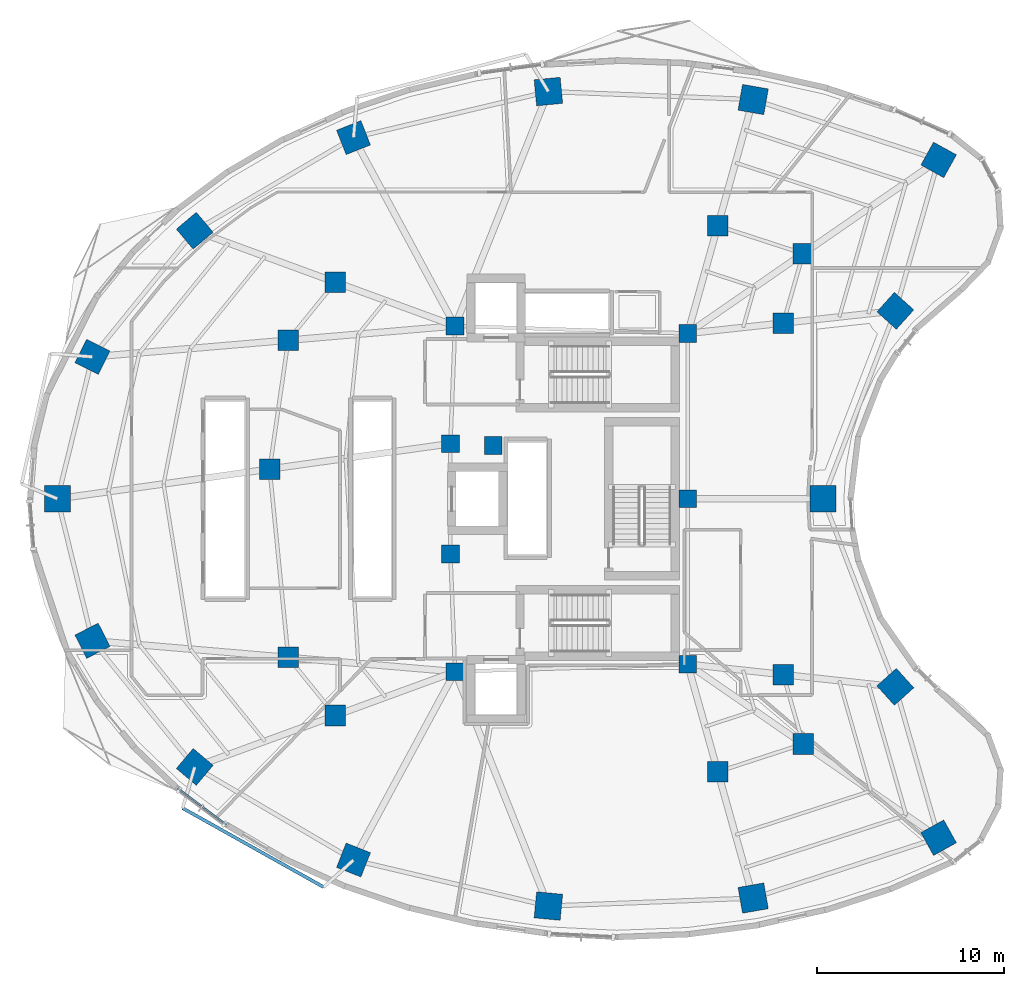
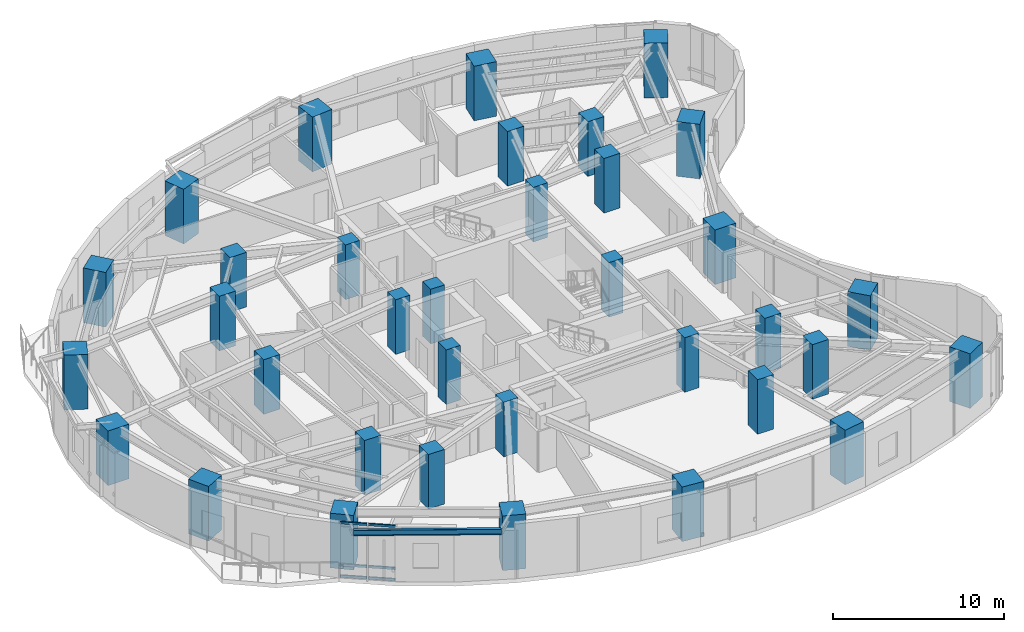
# One storey, part 1 of 14: 35 columns, 6 members, 1 beam, 1 element without a shape of its own.
"""IFC4 building model written with IfcOpenShell, lengths in metres."""

from ifc_helpers import new_model, si_unit, direction, frame, origin, origin_2d, place, context, subcontext, project, spatial, rectangle, i_section, extrude, material, layer, layer_set, material_profile, profile_set, type_object, element, aggregate, save


model = new_model("IFC4")

# Units and contexts
model_context = context("Model", 3, precision=1e-05, world=origin(), true_north=direction((0.0, 1.0)))
body_context = subcontext(model_context, "Body", "Model", "MODEL_VIEW")
ifc_project = project(units=[si_unit("LENGTHUNIT", "METRE"), si_unit("AREAUNIT", "SQUARE_METRE"), si_unit("VOLUMEUNIT", "CUBIC_METRE"), si_unit("PLANEANGLEUNIT", "RADIAN"), si_unit("MASSUNIT", "GRAM", prefix="KILO")], contexts=[model_context])

# Site, building, storey
site_placement = place(None, origin())
site = spatial("IfcSite", under=ifc_project, at=site_placement, CompositionType="ELEMENT")
building_placement = place(site_placement, origin())
building = spatial("IfcBuilding", under=site, at=building_placement, Name="Korentha Bioscience Tower", CompositionType="ELEMENT")
storey_placement = place(building_placement, frame((0.0, 0.0, 46.800048828125)))
storey = spatial("IfcBuildingStorey", under=building, at=storey_placement, Name="L10", CompositionType="ELEMENT", Elevation=46.800048828125)

# Columns
ifc_material_1 = material(Name="Concrete C65", Category="concrete")
ifc_material_profile_1 = material_profile(ifc_material_1, rectangle(XDim=0.949951171875, YDim=0.949951171875, at=origin_2d()), Name="Concrete C65")
ifc_profile_set_1 = profile_set([ifc_material_profile_1], Name="Concrete C65 (COL-CP09)")
column_type_1 = type_object("IfcColumnType", Name="Core Pilaster Column RC 950x950", PredefinedType="PILASTER", material=ifc_profile_set_1)
for number, where, z_axis, x_axis, name in (
    (1, (37.550048828125, 35.85009765625, -0.00048828125), (0.0, 0.0, 1.0), (1.0, 0.0, 0.0), "L10 Core Pilaster CP-01"),
    (2, (25.10009765625, 36.25, -0.00048828125), (0.0, 0.0, 1.0), (1.0, 0.0, 0.0), "L10 Core Pilaster CP-02"),
    (3, (24.85009765625, 29.949951171875, -0.00048828125), (0.0, 0.0, 1.0), (1.0, 0.0, 0.0), "L10 Core Pilaster CP-03"),
    (4, (27.14990234375, 29.85009765625, -0.00048828125), (0.0, 0.0, 1.0), (1.0, 0.0, 0.0), "L10 Core Pilaster CP-04"),
    (5, (24.85009765625, 24.050048828125, -0.00048828125), (0.0, 0.0, 1.0), (1.0, 0.0, 0.0), "L10 Core Pilaster CP-05"),
    (6, (25.10009765625, 17.75, -0.00048828125), (0.0, 0.0, 1.0), (1.0, 0.0, 0.0), "L10 Core Pilaster CP-06"),
    (7, (37.550048828125, 18.14990234375, -0.00048828125), (0.0, 0.0, 1.0), (1.0, 0.0, 0.0), "L10 Core Pilaster CP-07"),
    (8, (37.550048828125, 27.0, -0.00048828125), (0.0, 0.0, 1.0), (1.0, 0.0, 0.0), "L10 Core Pilaster CP-08"),
):
    element("IfcColumn", number, at=place(storey_placement, frame(where, z_axis=z_axis, x_axis=x_axis)), inside=storey, type_object=column_type_1, Name=name, PredefinedType="PILASTER", context=body_context, shape_type="SweptSolid", body=[
        extrude(rectangle(XDim=0.949951171875, YDim=0.949951171875, at=origin_2d()), origin(), (0.0, 0.0, 1.0), 3.90087890625),
    ])
ifc_material_2 = material(Name="Concrete C80", Category="concrete")
ifc_material_profile_2 = material_profile(ifc_material_2, rectangle(XDim=1.10009765625, YDim=1.10009765625, at=origin_2d()), Name="Concrete C80")
ifc_profile_set_2 = profile_set([ifc_material_profile_2], Name="Concrete C80 (COL-MR11)")
column_type_2 = type_object("IfcColumnType", Name="Mid-Ring Lab Column RC 1100x1100", PredefinedType="COLUMN", material=ifc_profile_set_2)
for number, where, z_axis, x_axis, name in (
    (9, (43.7265625, 40.121337890625, -0.00048828125), (0.0, 0.0, 1.0), (1.0, 0.0, 0.0), "L10 Mid-Ring Column 01"),
    (10, (39.1611328125, 41.607666015625, -0.00048828125), (0.0, 0.0, 1.0), (1.0, 0.0, 0.0), "L10 Mid-Ring Column 02"),
    (11, (18.692138671875, 38.5947265625, -0.00048828125), (0.0, 0.0, 1.0), (1.0, 0.0, 0.0), "L10 Mid-Ring Column 05"),
    (12, (16.174072265625, 35.489013671875, -0.00048828125), (0.0, 0.0, 1.0), (1.0, 0.0, 0.0), "L10 Mid-Ring Column 06"),
    (13, (15.1787109375, 28.593505859375, -0.00048828125), (0.0, 0.0, 1.0), (1.0, 0.0, 0.0), "L10 Mid-Ring Column 07"),
    (14, (16.174072265625, 18.510986328125, -0.00048828125), (0.0, 0.0, 1.0), (1.0, 0.0, 0.0), "L10 Mid-Ring Column 08"),
    (15, (18.692138671875, 15.4052734375, -0.00048828125), (0.0, 0.0, 1.0), (1.0, 0.0, 0.0), "L10 Mid-Ring Column 09"),
    (16, (39.1611328125, 12.392333984375, -0.00048828125), (0.0, 0.0, 1.0), (1.0, 0.0, 0.0), "L10 Mid-Ring Column 12"),
    (17, (43.7265625, 13.878662109375, -0.00048828125), (0.0, 0.0, 1.0), (1.0, 0.0, 0.0), "L10 Mid-Ring Column 13"),
    (18, (42.66162109375, 17.593017578125, -0.00048828125), (0.0, 0.0, 1.0), (1.0, 0.0, 0.0), "L10 Mid-Ring Column 14"),
    (19, (42.66162109375, 36.406982421875, -0.00048828125), (0.0, 0.0, 1.0), (1.0, 0.0, 0.0), "L10 Mid-Ring Column 16"),
):
    element("IfcColumn", number, at=place(storey_placement, frame(where, z_axis=z_axis, x_axis=x_axis)), inside=storey, type_object=column_type_2, Name=name, PredefinedType="COLUMN", context=body_context, shape_type="SweptSolid", body=[
        extrude(rectangle(XDim=1.10009765625, YDim=1.10009765625, at=origin_2d()), origin(), (0.0, 0.0, 1.0), 3.90087890625),
    ])
ifc_material_profile_3 = material_profile(ifc_material_2, rectangle(XDim=1.39990234375, YDim=1.39990234375, at=origin_2d()), Name="Concrete C80")
ifc_profile_set_3 = profile_set([ifc_material_profile_3], Name="Concrete C80 (COL-P14)")
column_type_3 = type_object("IfcColumnType", Name="Perimeter Column RC 1400x1400", PredefinedType="COLUMN", material=ifc_profile_set_3)
for number, where, z_axis, x_axis, name in (
    (20, (50.977294921875, 45.135498046875, -0.00048828125), (0.0, 0.0, 1.0), (-0.874535078577, 0.484962262797, 0.0), "L10 Perimeter Column 01"),
    (21, (41.052490234375, 48.36669921875, -0.00048828125), (0.0, 0.0, 1.0), (-0.984868307662, 0.173304404339, 0.0), "L10 Perimeter Column 02"),
    (22, (30.09423828125, 48.79248046875, -0.00048828125), (0.0, 0.0, 1.0), (0.995462868748, 0.095150811579, 0.0), "L10 Perimeter Column 03"),
    (23, (19.66650390625, 46.328857421875, -0.00048828125), (0.0, 0.0, 1.0), (0.930225540858, 0.366988341962, 0.0), "L10 Perimeter Column 04"),
    (24, (11.169921875, 41.34716796875, -0.00048828125), (0.0, 0.0, 1.0), (0.764246456939, 0.644924300253, 0.0), "L10 Perimeter Column 05"),
    (25, (5.69580078125, 34.595703125, -0.00048828125), (0.0, 0.0, 1.0), (0.453057191132, 0.891481453292, 0.0), "L10 Perimeter Column 06"),
    (26, (3.825439453125, 27.000732421875, -0.00048828125), (0.0, 0.0, 1.0), (0.0, 1.0, 0.0), "L10 Perimeter Column 07"),
    (27, (5.69580078125, 19.404296875, -0.00048828125), (0.0, 0.0, 1.0), (-0.453057191132, 0.891481453292, 0.0), "L10 Perimeter Column 08"),
    (28, (11.169921875, 12.65283203125, -0.00048828125), (0.0, 0.0, 1.0), (-0.764246456939, 0.644924300253, 0.0), "L10 Perimeter Column 09"),
    (29, (19.66650390625, 7.671142578125, -0.00048828125), (0.0, 0.0, 1.0), (-0.930225540858, 0.366988341962, 0.0), "L10 Perimeter Column 10"),
    (30, (30.09423828125, 5.20751953125, -0.00048828125), (0.0, 0.0, 1.0), (-0.995462868748, 0.095150811579, 0.0), "L10 Perimeter Column 11"),
    (31, (41.052490234375, 5.63330078125, -0.00048828125), (0.0, 0.0, 1.0), (0.984868307662, 0.173304404339, 0.0), "L10 Perimeter Column 12"),
    (32, (50.977294921875, 8.864501953125, -0.00048828125), (0.0, 0.0, 1.0), (0.874535078577, 0.484962262797, 0.0), "L10 Perimeter Column 13"),
    (33, (48.661865234375, 16.939208984375, -0.00048828125), (0.0, 0.0, 1.0), (-0.669130606359, 0.743144825477, 0.0), "L10 Perimeter Column 14"),
    (34, (44.798583984375, 27.0, -0.00048828125), (0.0, 0.0, 1.0), (0.0, 1.0, 0.0), "L10 Perimeter Column 15"),
    (35, (48.661865234375, 37.060791015625, -0.00048828125), (0.0, 0.0, 1.0), (0.669130606359, 0.743144825477, 0.0), "L10 Perimeter Column 16"),
):
    element("IfcColumn", number, at=place(storey_placement, frame(where, z_axis=z_axis, x_axis=x_axis)), inside=storey, type_object=column_type_3, Name=name, PredefinedType="COLUMN", context=body_context, shape_type="SweptSolid", body=[
        extrude(rectangle(XDim=1.39990234375, YDim=1.39990234375, at=origin_2d()), origin(), (0.0, 0.0, 1.0), 3.90087890625),
    ])

# Beam
ifc_material_3 = material(Name="Steel S355", Category="steel")
ifc_material_profile_4 = material_profile(ifc_material_3, i_section(OverallWidth=0.177978515625, OverallDepth=0.406982421875, WebThickness=0.0078125, FlangeThickness=0.0126953125, at=origin_2d()), Name="Steel S355")
ifc_profile_set_4 = profile_set([ifc_material_profile_4], Name="Steel S355 (CB-410)")
beam_type = type_object("IfcBeamType", Name="Sun-Ledge Cantilever Beam W410x60", PredefinedType="BEAM", material=ifc_profile_set_4)
beam_placement = place(storey_placement, frame((10.52294921875, 10.44677734375, 3.698486328125), z_axis=(0.872528629193, -0.488562985948, 0.0), x_axis=(0.488562985948, 0.872528629193, 0.0)))
element("IfcBeam", 36, at=beam_placement, inside=storey, type_object=beam_type, Name="L10 Balcony Edge Trimmer Beam L11-03", PredefinedType="BEAM", context=body_context, shape_type="SweptSolid", body=[
    extrude(i_section(OverallWidth=0.177978515625, OverallDepth=0.406982421875, WebThickness=0.0078125, FlangeThickness=0.0126953125, at=origin_2d()), origin(), (0.0, 0.0, 1.0), 8.652587890625),
])

# Curtain wall, members
ifc_material_4 = material(Name="Thermally Broken Aluminium Frame", Category="aluminium")
ifc_layer = layer(ifc_material_4, 0.219970703125, Name="Thermally Broken Aluminium Frame")
ifc_layer_set = layer_set([ifc_layer], Name="Thermally Broken Aluminium Frame (CW-T2)")
curtain_wall_type = type_object("IfcCurtainWallType", Name="Solar-Screened Lab Unitised Curtain Wall CW-T2", PredefinedType="USERDEFINED", material=ifc_layer_set)
curtain_wall_placement = place(storey_placement, origin())
curtain_wall = element("IfcCurtainWall", 37, at=curtain_wall_placement, inside=storey, type_object=curtain_wall_type, Name="L10 Curtain Wall 25", ObjectType="UNITISED", PredefinedType="USERDEFINED")
ifc_material_5 = material(Name="Anodised Aluminium 6063-T6", Category="aluminium")
ifc_material_profile_5 = material_profile(ifc_material_5, rectangle(XDim=0.090087890625, YDim=0.159912109375, at=origin_2d()), Name="Anodised Aluminium 6063-T6")
ifc_profile_set_5 = profile_set([ifc_material_profile_5], Name="Anodised Aluminium 6063-T6 (CW-TRN)")
member_type = type_object("IfcMemberType", Name="Transom RECT 90x160", PredefinedType="USERDEFINED", material=ifc_profile_set_5)
member_1_placement = place(storey_placement, frame((10.2578125, 11.51171875, 0.044921875), z_axis=(0.8008676283, -0.598841416354, 0.0), x_axis=(0.598841416354, 0.8008676283, 0.0)))
member_1 = element("IfcMember", 38, at=member_1_placement, type_object=member_type, Name="CW-L10-25 Bay 1 Transom 1", ObjectType="TRANSOM", PredefinedType="USERDEFINED", context=body_context, shape_type="SweptSolid", body=[
    extrude(rectangle(XDim=0.090087890625, YDim=0.159912109375, at=origin_2d()), origin(), (0.0, 0.0, 1.0), 1.58544921875),
])
member_2_placement = place(storey_placement, frame((10.2578125, 11.51171875, 0.849853515625), z_axis=(0.8008676283, -0.598841416354, 0.0), x_axis=(0.598841416354, 0.8008676283, 0.0)))
member_2 = element("IfcMember", 39, at=member_2_placement, type_object=member_type, Name="CW-L10-25 Bay 1 Transom 2", ObjectType="TRANSOM", PredefinedType="USERDEFINED", context=body_context, shape_type="SweptSolid", body=[
    extrude(rectangle(XDim=0.090087890625, YDim=0.159912109375, at=origin_2d()), origin(), (0.0, 0.0, 1.0), 1.58544921875),
])
member_3_placement = place(storey_placement, frame((10.2578125, 11.51171875, 3.85498046875), z_axis=(0.8008676283, -0.598841416354, 0.0), x_axis=(0.598841416354, 0.8008676283, 0.0)))
member_3 = element("IfcMember", 40, at=member_3_placement, type_object=member_type, Name="CW-L10-25 Bay 1 Transom 3", ObjectType="TRANSOM", PredefinedType="USERDEFINED", context=body_context, shape_type="SweptSolid", body=[
    extrude(rectangle(XDim=0.090087890625, YDim=0.159912109375, at=origin_2d()), origin(), (0.0, 0.0, 1.0), 1.58544921875),
])
member_4_placement = place(storey_placement, frame((11.599609375, 10.50830078125, 0.044921875), z_axis=(0.800738536228, -0.59901402037, 0.0), x_axis=(0.59901402037, 0.800738536228, 0.0)))
member_4 = element("IfcMember", 41, at=member_4_placement, type_object=member_type, Name="CW-L10-25 Bay 2 Transom 1", ObjectType="TRANSOM", PredefinedType="USERDEFINED", context=body_context, shape_type="SweptSolid", body=[
    extrude(rectangle(XDim=0.090087890625, YDim=0.159912109375, at=origin_2d()), origin(), (0.0, 0.0, 1.0), 1.58544921875),
])
member_5_placement = place(storey_placement, frame((11.599609375, 10.50830078125, 0.849853515625), z_axis=(0.800738536228, -0.59901402037, 0.0), x_axis=(0.59901402037, 0.800738536228, 0.0)))
member_5 = element("IfcMember", 42, at=member_5_placement, type_object=member_type, Name="CW-L10-25 Bay 2 Transom 2", ObjectType="TRANSOM", PredefinedType="USERDEFINED", context=body_context, shape_type="SweptSolid", body=[
    extrude(rectangle(XDim=0.090087890625, YDim=0.159912109375, at=origin_2d()), origin(), (0.0, 0.0, 1.0), 1.58544921875),
])
member_6_placement = place(storey_placement, frame((11.599609375, 10.50830078125, 3.85498046875), z_axis=(0.800738536228, -0.59901402037, 0.0), x_axis=(0.59901402037, 0.800738536228, 0.0)))
member_6 = element("IfcMember", 43, at=member_6_placement, type_object=member_type, Name="CW-L10-25 Bay 2 Transom 3", ObjectType="TRANSOM", PredefinedType="USERDEFINED", context=body_context, shape_type="SweptSolid", body=[
    extrude(rectangle(XDim=0.090087890625, YDim=0.159912109375, at=origin_2d()), origin(), (0.0, 0.0, 1.0), 1.58544921875),
])
aggregate(curtain_wall, [member_1, member_2, member_3, member_4, member_5, member_6])

save(model, "model.ifc")
